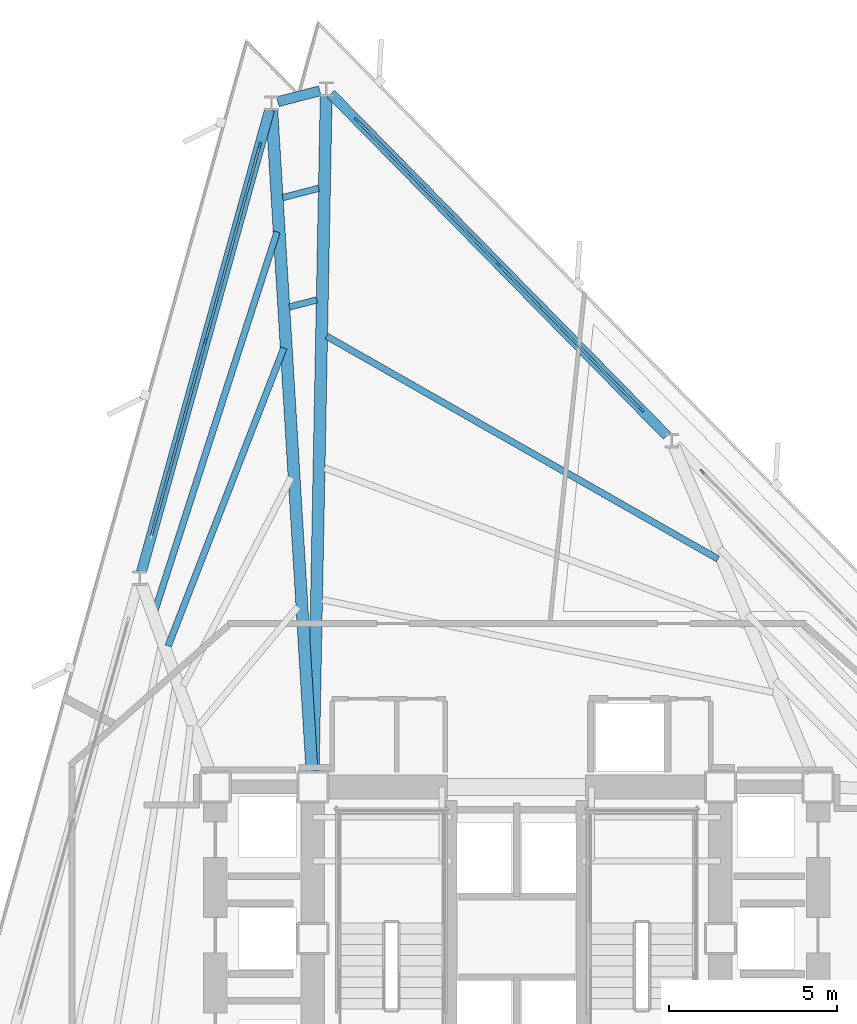
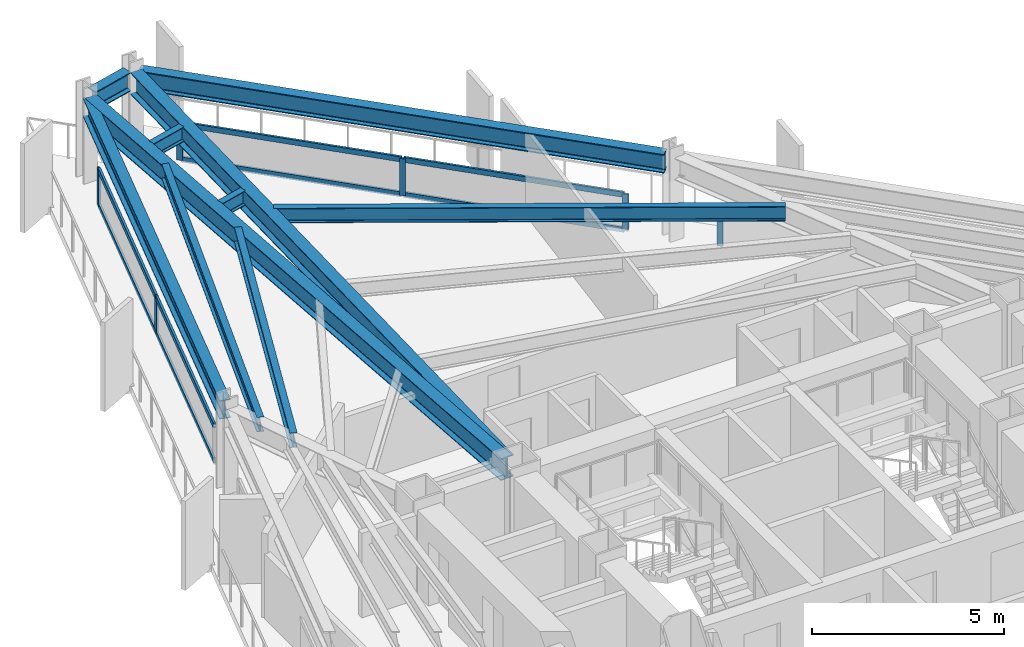
# One storey, part 5 of 11: 14 members, 10 beams, 3 elements without a shape of their own.
"""IFC4 building model written with IfcOpenShell, lengths in metres."""

from ifc_helpers import new_model, si_unit, direction, frame, origin, origin_2d, place, context, subcontext, project, spatial, rectangle, i_section, extrude, material, layer, layer_set, material_profile, profile_set, type_object, element, aggregate, save


model = new_model("IFC4")

# Units and contexts
model_context = context("Model", 3, precision=1e-05, world=origin(), true_north=direction((0.0, 1.0)))
body_context = subcontext(model_context, "Body", "Model", "MODEL_VIEW")
ifc_project = project(units=[si_unit("LENGTHUNIT", "METRE"), si_unit("AREAUNIT", "SQUARE_METRE"), si_unit("VOLUMEUNIT", "CUBIC_METRE"), si_unit("PLANEANGLEUNIT", "RADIAN"), si_unit("MASSUNIT", "GRAM", prefix="KILO")], contexts=[model_context])

# Site, building, storey
site_placement = place(None, origin())
site = spatial("IfcSite", under=ifc_project, at=site_placement, CompositionType="ELEMENT")
building_placement = place(site_placement, origin())
building = spatial("IfcBuilding", under=site, at=building_placement, Name="Rocaltana Carrier Exchange", CompositionType="ELEMENT")
storey_placement = place(building_placement, frame((0.0, 0.0, 97.760009765625)))
storey = spatial("IfcBuildingStorey", under=building, at=storey_placement, Name="L30", CompositionType="ELEMENT", Elevation=97.760009765625)

# Curtain wall, member
ifc_material_1 = material(Name="Aluminium 6063-T6", Category="aluminium")
ifc_layer = layer(ifc_material_1, 0.1650390625)
ifc_layer_set = layer_set([ifc_layer], Name="Aluminium 6063-T6")
curtain_wall_type = type_object("IfcCurtainWallType", Name="Lower-Mid Stepped Curtain Wall CW-02", PredefinedType="NOTDEFINED", material=ifc_layer_set)
curtain_wall_1_placement = place(storey_placement, origin())
curtain_wall_1 = element("IfcCurtainWall", 1, at=curtain_wall_1_placement, inside=storey, type_object=curtain_wall_type, Name="L30 CW-02 Run CW-L30-F1S2", PredefinedType="NOTDEFINED")
ifc_material_2 = material(Name="Aluminium 6063-T6", Category="aluminium")
ifc_material_profile_1 = material_profile(ifc_material_2, rectangle(XDim=0.06494140625, YDim=0.1650390625, at=origin_2d()), Name="AL-65X165")
ifc_profile_set_1 = profile_set([ifc_material_profile_1], Name="Aluminium 6063-T6")
member_type_1 = type_object("IfcMemberType", Name="CW-02 Mullion AL-65X165", PredefinedType="MULLION", material=ifc_profile_set_1)
member_1_placement = place(storey_placement, frame((5.503173828125, 13.8681640625, 0.0), z_axis=(0.0, 0.0, 1.0), x_axis=(-0.713244696676, -0.700915118017, 0.0)))
member_1 = element("IfcMember", 2, at=member_1_placement, type_object=member_type_1, Name="CW-02 mullion 3", PredefinedType="MULLION", context=body_context, shape_type="SweptSolid", body=[
    extrude(rectangle(XDim=0.06494140625, YDim=0.1650390625, at=origin_2d()), origin(), (0.0, 0.0, 1.0), 1.177978515625),
])
aggregate(curtain_wall_1, [member_1])

# Curtain wall, members
curtain_wall_2_placement = place(storey_placement, origin())
curtain_wall_2 = element("IfcCurtainWall", 3, at=curtain_wall_2_placement, inside=storey, type_object=curtain_wall_type, Name="L30 CW-02 Run CW-L30-F1S3", PredefinedType="NOTDEFINED")
member_2_placement = place(storey_placement, frame((3.70556640625, 15.69775390625, 0.0), z_axis=(0.0, 0.0, 1.0), x_axis=(-0.713244767898, -0.700915045542, 0.0)))
member_2 = element("IfcMember", 4, at=member_2_placement, type_object=member_type_1, Name="CW-02 mullion 1", PredefinedType="MULLION", context=body_context, shape_type="SweptSolid", body=[
    extrude(rectangle(XDim=0.06494140625, YDim=0.1650390625, at=origin_2d()), origin(), (0.0, 0.0, 1.0), 1.177978515625),
])
member_3_placement = place(storey_placement, frame((-0.52392578125, 20.001708984375, 0.0), z_axis=(0.0, 0.0, 1.0), x_axis=(-0.713244767898, -0.700915045542, 0.0)))
member_3 = element("IfcMember", 5, at=member_3_placement, type_object=member_type_1, Name="CW-02 mullion 2", PredefinedType="MULLION", context=body_context, shape_type="SweptSolid", body=[
    extrude(rectangle(XDim=0.06494140625, YDim=0.1650390625, at=origin_2d()), origin(), (0.0, 0.0, 1.0), 1.177978515625),
])
member_4_placement = place(storey_placement, frame((-4.75341796875, 24.305419921875, 0.0), z_axis=(0.0, 0.0, 1.0), x_axis=(-0.713244767898, -0.700915045542, 0.0)))
member_4 = element("IfcMember", 6, at=member_4_placement, type_object=member_type_1, Name="CW-02 mullion 3", PredefinedType="MULLION", context=body_context, shape_type="SweptSolid", body=[
    extrude(rectangle(XDim=0.06494140625, YDim=0.1650390625, at=origin_2d()), origin(), (0.0, 0.0, 1.0), 1.177978515625),
])

curtain_wall_3_placement = place(storey_placement, origin())
curtain_wall_3 = element("IfcCurtainWall", 7, at=curtain_wall_3_placement, inside=storey, type_object=curtain_wall_type, Name="L30 CW-02 Run CW-L30-F2S1", PredefinedType="NOTDEFINED")
member_5_placement = place(storey_placement, frame((-7.626220703125, 23.5625, 0.0), z_axis=(0.0, 0.0, 1.0), x_axis=(0.96362846453, -0.267245546918, 0.0)))
member_5 = element("IfcMember", 8, at=member_5_placement, type_object=member_type_1, Name="CW-02 mullion 1", PredefinedType="MULLION", context=body_context, shape_type="SweptSolid", body=[
    extrude(rectangle(XDim=0.06494140625, YDim=0.1650390625, at=origin_2d()), origin(), (0.0, 0.0, 1.0), 1.177978515625),
])
member_6_placement = place(storey_placement, frame((-9.23876953125, 17.747802734375, 0.0), z_axis=(0.0, 0.0, 1.0), x_axis=(0.96362846453, -0.267245546918, 0.0)))
member_6 = element("IfcMember", 9, at=member_6_placement, type_object=member_type_1, Name="CW-02 mullion 2", PredefinedType="MULLION", context=body_context, shape_type="SweptSolid", body=[
    extrude(rectangle(XDim=0.06494140625, YDim=0.1650390625, at=origin_2d()), origin(), (0.0, 0.0, 1.0), 1.177978515625),
])

# Member
ifc_material_3 = material(Name="Aluminium 6063-T6", Category="aluminium")
ifc_material_profile_2 = material_profile(ifc_material_3, rectangle(XDim=0.06494140625, YDim=0.1650390625, at=origin_2d()), Name="AL-65X165")
ifc_profile_set_2 = profile_set([ifc_material_profile_2], Name="Aluminium 6063-T6")
member_type_2 = type_object("IfcMemberType", Name="CW-02 Transom AL-65X165", PredefinedType="USERDEFINED", material=ifc_profile_set_2)
member_7_placement = place(storey_placement, frame((3.682861328125, 15.720947265625, 0.032470703125), z_axis=(-0.700924711343, 0.713235269058, 0.0), x_axis=(-0.713235269058, -0.700924711343, 0.0)))
member_7 = element("IfcMember", 10, at=member_7_placement, type_object=member_type_2, Name="CW-02 transom 1.1", ObjectType="TRANSOM", PredefinedType="USERDEFINED", context=body_context, shape_type="SweptSolid", body=[
    extrude(rectangle(XDim=0.06494140625, YDim=0.1650390625, at=origin_2d()), origin(), (0.0, 0.0, 1.0), 5.969482421875),
])

member_8_placement = place(storey_placement, frame((3.682861328125, 15.720947265625, 1.1455078125), z_axis=(-0.700924711343, 0.713235269058, 0.0), x_axis=(-0.713235269058, -0.700924711343, 0.0)))
member_8 = element("IfcMember", 11, at=member_8_placement, type_object=member_type_2, Name="CW-02 transom 1.2", ObjectType="TRANSOM", PredefinedType="USERDEFINED", context=body_context, shape_type="SweptSolid", body=[
    extrude(rectangle(XDim=0.06494140625, YDim=0.1650390625, at=origin_2d()), origin(), (0.0, 0.0, 1.0), 5.969482421875),
])

member_9_placement = place(storey_placement, frame((-0.546630859375, 20.02490234375, 0.032470703125), z_axis=(-0.700924352217, 0.713235621985, 0.0), x_axis=(-0.713235621985, -0.700924352217, 0.0)))
member_9 = element("IfcMember", 12, at=member_9_placement, type_object=member_type_2, Name="CW-02 transom 2.1", ObjectType="TRANSOM", PredefinedType="USERDEFINED", context=body_context, shape_type="SweptSolid", body=[
    extrude(rectangle(XDim=0.06494140625, YDim=0.1650390625, at=origin_2d()), origin(), (0.0, 0.0, 1.0), 5.968994140625),
])

member_10_placement = place(storey_placement, frame((-0.546630859375, 20.02490234375, 1.1455078125), z_axis=(-0.700924352217, 0.713235621985, 0.0), x_axis=(-0.713235621985, -0.700924352217, 0.0)))
member_10 = element("IfcMember", 13, at=member_10_placement, type_object=member_type_2, Name="CW-02 transom 2.2", ObjectType="TRANSOM", PredefinedType="USERDEFINED", context=body_context, shape_type="SweptSolid", body=[
    extrude(rectangle(XDim=0.06494140625, YDim=0.1650390625, at=origin_2d()), origin(), (0.0, 0.0, 1.0), 5.968994140625),
])

aggregate(curtain_wall_2, [member_2, member_3, member_4, member_7, member_8, member_9, member_10])

member_11_placement = place(storey_placement, frame((-7.634765625, 23.53125, 0.032470703125), z_axis=(-0.267274698809, -0.963620379287, 0.0), x_axis=(0.963620379287, -0.267274698809, 0.0)))
member_11 = element("IfcMember", 14, at=member_11_placement, type_object=member_type_2, Name="CW-02 transom 1.1", ObjectType="TRANSOM", PredefinedType="USERDEFINED", context=body_context, shape_type="SweptSolid", body=[
    extrude(rectangle(XDim=0.06494140625, YDim=0.1650390625, at=origin_2d()), origin(), (0.0, 0.0, 1.0), 5.96923828125),
])

member_12_placement = place(storey_placement, frame((-7.634765625, 23.53125, 1.1455078125), z_axis=(-0.267274698809, -0.963620379287, 0.0), x_axis=(0.963620379287, -0.267274698809, 0.0)))
member_12 = element("IfcMember", 15, at=member_12_placement, type_object=member_type_2, Name="CW-02 transom 1.2", ObjectType="TRANSOM", PredefinedType="USERDEFINED", context=body_context, shape_type="SweptSolid", body=[
    extrude(rectangle(XDim=0.06494140625, YDim=0.1650390625, at=origin_2d()), origin(), (0.0, 0.0, 1.0), 5.96923828125),
])

member_13_placement = place(storey_placement, frame((-9.24755859375, 17.716552734375, 0.032470703125), z_axis=(-0.267236720875, -0.963630912235, 0.0), x_axis=(0.963630912235, -0.267236720875, 0.0)))
member_13 = element("IfcMember", 16, at=member_13_placement, type_object=member_type_2, Name="CW-02 transom 2.1", ObjectType="TRANSOM", PredefinedType="USERDEFINED", context=body_context, shape_type="SweptSolid", body=[
    extrude(rectangle(XDim=0.06494140625, YDim=0.1650390625, at=origin_2d()), origin(), (0.0, 0.0, 1.0), 5.96923828125),
])

member_14_placement = place(storey_placement, frame((-9.24755859375, 17.716552734375, 1.1455078125), z_axis=(-0.267236720875, -0.963630912235, 0.0), x_axis=(0.963630912235, -0.267236720875, 0.0)))
member_14 = element("IfcMember", 17, at=member_14_placement, type_object=member_type_2, Name="CW-02 transom 2.2", ObjectType="TRANSOM", PredefinedType="USERDEFINED", context=body_context, shape_type="SweptSolid", body=[
    extrude(rectangle(XDim=0.06494140625, YDim=0.1650390625, at=origin_2d()), origin(), (0.0, 0.0, 1.0), 5.96923828125),
])

aggregate(curtain_wall_3, [member_5, member_6, member_11, member_12, member_13, member_14])

# Beams
ifc_material_4 = material(Name="Steel S355", Category="steel")
ifc_material_profile_3 = material_profile(ifc_material_4, i_section(OverallWidth=0.193115234375, OverallDepth=0.466064453125, WebThickness=0.011474609375, FlangeThickness=0.01904296875, FilletRadius=0.013916015625, at=origin_2d()), Name="W18X65")
ifc_profile_set_3 = profile_set([ifc_material_profile_3], Name="Steel S355")
beam_type_1 = type_object("IfcBeamType", Name="Floor Joist W18X65", PredefinedType="JOIST", material=ifc_profile_set_3)
beam_1_placement = place(storey_placement, frame((5.976318359375, 11.268798828125, 2.485107421875), z_axis=(-0.869038762024, 0.494744004613, 0.0), x_axis=(-0.494744004613, -0.869038762024, 0.0)))
element("IfcBeam", 18, at=beam_1_placement, inside=storey, type_object=beam_type_1, Name="FJ-L30-03-3", PredefinedType="JOIST", context=body_context, shape_type="SweptSolid", body=[
    extrude(i_section(OverallWidth=0.193115234375, OverallDepth=0.466064453125, WebThickness=0.011474609375, FlangeThickness=0.01904296875, FilletRadius=0.013916015625, at=origin_2d()), origin(), (0.0, 0.0, 1.0), 13.36962890625),
])
beam_2_placement = place(storey_placement, frame((-5.9375, 18.961181640625, 2.485107421875), z_axis=(-0.968135931974, -0.250425272727, 0.0), x_axis=(0.250425272727, -0.968135931974, 0.0)))
element("IfcBeam", 19, at=beam_2_placement, inside=storey, type_object=beam_type_1, Name="FJ-L30-04-3", PredefinedType="JOIST", context=body_context, shape_type="SweptSolid", body=[
    extrude(i_section(OverallWidth=0.193115234375, OverallDepth=0.466064453125, WebThickness=0.011474609375, FlangeThickness=0.01904296875, FilletRadius=0.013916015625, at=origin_2d()), origin(), (0.0, 0.0, 1.0), 0.83642578125),
])
beam_3_placement = place(storey_placement, frame((-5.873779296875, 22.2763671875, 2.485107421875), z_axis=(-0.968177342662, -0.25026512573, 0.0), x_axis=(0.25026512573, -0.968177342662, 0.0)))
element("IfcBeam", 20, at=beam_3_placement, inside=storey, type_object=beam_type_1, Name="FJ-L30-04-4", PredefinedType="JOIST", context=body_context, shape_type="SweptSolid", body=[
    extrude(i_section(OverallWidth=0.193115234375, OverallDepth=0.466064453125, WebThickness=0.011474609375, FlangeThickness=0.01904296875, FilletRadius=0.013916015625, at=origin_2d()), origin(), (0.0, 0.0, 1.0), 1.106201171875),
])
beam_4_placement = place(storey_placement, frame((-6.913818359375, 17.533935546875, 2.485107421875), z_axis=(-0.361784373261, -0.93226180189, 0.0), x_axis=(0.93226180189, -0.361784373261, 0.0)))
element("IfcBeam", 21, at=beam_4_placement, inside=storey, type_object=beam_type_1, Name="FJ-L30-05-3", PredefinedType="JOIST", context=body_context, shape_type="SweptSolid", body=[
    extrude(i_section(OverallWidth=0.193115234375, OverallDepth=0.466064453125, WebThickness=0.011474609375, FlangeThickness=0.01904296875, FilletRadius=0.013916015625, at=origin_2d()), origin(), (0.0, 0.0, 1.0), 9.48876953125),
])
beam_5_placement = place(storey_placement, frame((-7.114013671875, 20.9814453125, 2.485107421875), z_axis=(-0.306913359242, -0.951737458504, 0.0), x_axis=(0.951737458504, -0.306913359242, 0.0)))
element("IfcBeam", 22, at=beam_5_placement, inside=storey, type_object=beam_type_1, Name="FJ-L30-05-4", PredefinedType="JOIST", context=body_context, shape_type="SweptSolid", body=[
    extrude(i_section(OverallWidth=0.193115234375, OverallDepth=0.466064453125, WebThickness=0.011474609375, FlangeThickness=0.01904296875, FilletRadius=0.013916015625, at=origin_2d()), origin(), (0.0, 0.0, 1.0), 11.806396484375),
])
ifc_material_5 = material(Name="Steel S355", Category="steel")
ifc_material_profile_4 = material_profile(ifc_material_5, i_section(OverallWidth=0.35498046875, OverallDepth=0.695068359375, WebThickness=0.015380859375, FlangeThickness=0.02490234375, FilletRadius=0.01806640625, at=origin_2d()), Name="W27X146")
ifc_profile_set_4 = profile_set([ifc_material_profile_4], Name="Steel S355")
beam_type_2 = type_object("IfcBeamType", Name="Radial Girder W27X146", PredefinedType="BEAM", material=ifc_profile_set_4)
beam_6_placement = place(storey_placement, frame((-6.041015625, 4.966796875, 2.37060546875), z_axis=(0.019193756189, 0.999815782894, 0.0), x_axis=(-0.999815782894, 0.019193756189, 0.0)))
element("IfcBeam", 23, at=beam_6_placement, inside=storey, type_object=beam_type_2, Name="RG-L30-04", PredefinedType="BEAM", context=body_context, shape_type="SweptSolid", body=[
    extrude(i_section(OverallWidth=0.35498046875, OverallDepth=0.695068359375, WebThickness=0.015380859375, FlangeThickness=0.02490234375, FilletRadius=0.01806640625, at=origin_2d()), origin(), (0.0, 0.0, 1.0), 20.05908203125),
])
beam_7_placement = place(storey_placement, frame((-6.078369140625, 4.966064453125, 2.37060546875), z_axis=(-0.060654317938, 0.998158831908, 0.0), x_axis=(-0.998158831908, -0.060654317938, 0.0)))
element("IfcBeam", 24, at=beam_7_placement, inside=storey, type_object=beam_type_2, Name="RG-L30-05", PredefinedType="BEAM", context=body_context, shape_type="SweptSolid", body=[
    extrude(i_section(OverallWidth=0.35498046875, OverallDepth=0.695068359375, WebThickness=0.015380859375, FlangeThickness=0.02490234375, FilletRadius=0.01806640625, at=origin_2d()), origin(), (0.0, 0.0, 1.0), 19.670654296875),
])
ifc_material_6 = material(Name="Steel S355", Category="steel")
ifc_material_profile_5 = material_profile(ifc_material_6, i_section(OverallWidth=0.300048828125, OverallDepth=0.60009765625, WebThickness=0.015380859375, FlangeThickness=0.030029296875, FilletRadius=0.027099609375, at=origin_2d()), Name="HEB600")
ifc_profile_set_5 = profile_set([ifc_material_profile_5], Name="Steel S355")
beam_type_3 = type_object("IfcBeamType", Name="Spandrel Edge Beam HEB600", PredefinedType="SPANDREL", material=ifc_profile_set_5)
beam_8_placement = place(storey_placement, frame((4.465576171875, 14.92431640625, 2.41796875), z_axis=(-0.700906560302, 0.713253106356, 0.0), x_axis=(-0.713253106356, -0.700906560302, 0.0)))
element("IfcBeam", 25, at=beam_8_placement, inside=storey, type_object=beam_type_3, Name="SP-L30-03", PredefinedType="SPANDREL", context=body_context, shape_type="SweptSolid", body=[
    extrude(i_section(OverallWidth=0.300048828125, OverallDepth=0.60009765625, WebThickness=0.015380859375, FlangeThickness=0.030029296875, FilletRadius=0.027099609375, at=origin_2d()), origin(), (0.0, 0.0, 1.0), 14.2373046875),
])
beam_9_placement = place(storey_placement, frame((-5.843994140625, 25.170654296875, 2.41796875), z_axis=(-0.968138202554, -0.250416494576, 0.0), x_axis=(0.250416494576, -0.968138202554, 0.0)))
element("IfcBeam", 26, at=beam_9_placement, inside=storey, type_object=beam_type_3, Name="SP-L30-04", PredefinedType="SPANDREL", context=body_context, shape_type="SweptSolid", body=[
    extrude(i_section(OverallWidth=0.300048828125, OverallDepth=0.60009765625, WebThickness=0.015380859375, FlangeThickness=0.030029296875, FilletRadius=0.027099609375, at=origin_2d()), origin(), (0.0, 0.0, 1.0), 1.288818359375),
])
beam_10_placement = place(storey_placement, frame((-7.33642578125, 24.607421875, 2.41796875), z_axis=(-0.267234351395, -0.963631569343, 0.0), x_axis=(0.963631569343, -0.267234351395, 0.0)))
element("IfcBeam", 27, at=beam_10_placement, inside=storey, type_object=beam_type_3, Name="SP-L30-05", PredefinedType="SPANDREL", context=body_context, shape_type="SweptSolid", body=[
    extrude(i_section(OverallWidth=0.300048828125, OverallDepth=0.60009765625, WebThickness=0.015380859375, FlangeThickness=0.030029296875, FilletRadius=0.027099609375, at=origin_2d()), origin(), (0.0, 0.0, 1.0), 14.2373046875),
])

save(model, "model.ifc")
